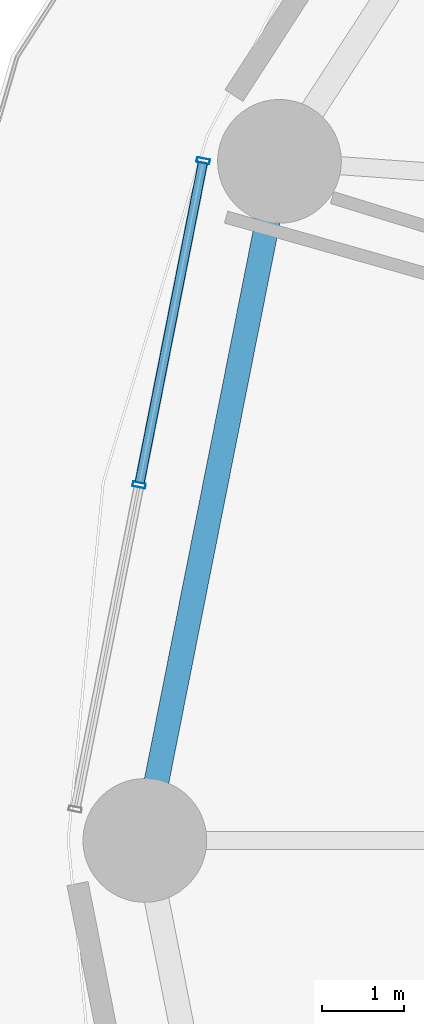
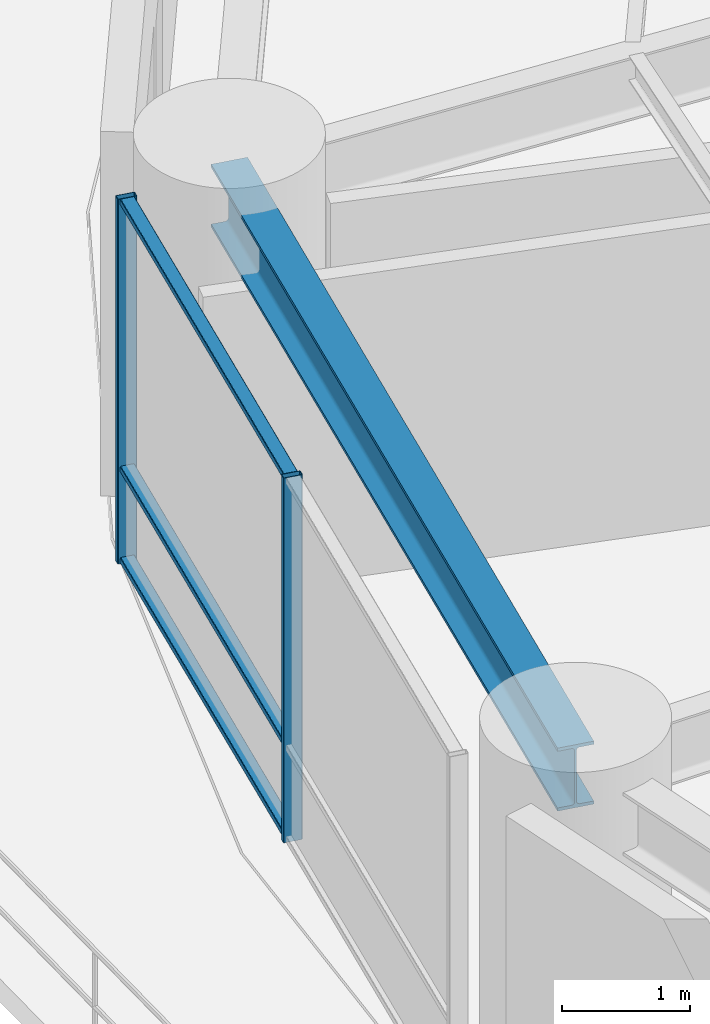
# One storey, part 15 of 33: 5 members, 1 beam, 1 element without a shape of its own.
"""IFC4 building model written with IfcOpenShell, lengths in metres."""

from ifc_helpers import new_model, si_unit, direction, frame, origin, origin_2d, place, context, subcontext, project, spatial, hollow_rectangle, i_section, extrude, material, layer, layer_set, material_profile, profile_set, type_object, element, aggregate, save


model = new_model("IFC4")

# Units and contexts
model_context = context("Model", 3, precision=1e-05, world=origin(), true_north=direction((0.0, 1.0)))
body_context = subcontext(model_context, "Body", "Model", "MODEL_VIEW")
ifc_project = project(units=[si_unit("LENGTHUNIT", "METRE"), si_unit("AREAUNIT", "SQUARE_METRE"), si_unit("VOLUMEUNIT", "CUBIC_METRE"), si_unit("PLANEANGLEUNIT", "RADIAN"), si_unit("MASSUNIT", "GRAM", prefix="KILO")], contexts=[model_context])

# Site, building, storey
site_placement = place(None, origin())
site = spatial("IfcSite", under=ifc_project, at=site_placement, CompositionType="ELEMENT")
building_placement = place(site_placement, origin())
building = spatial("IfcBuilding", under=site, at=building_placement, Name="Kelanora Arch Commons", CompositionType="ELEMENT")
storey_placement = place(building_placement, frame((0.0, 0.0, 45.0)))
storey = spatial("IfcBuildingStorey", under=building, at=storey_placement, Name="L11", CompositionType="ELEMENT", Elevation=45.0)

# Beam
ifc_material_1 = material(Name="Steel S355", Category="steel")
ifc_material_profile_1 = material_profile(ifc_material_1, i_section(OverallWidth=0.300048828125, OverallDepth=0.60009765625, WebThickness=0.015380859375, FlangeThickness=0.030029296875, FilletRadius=0.027099609375, at=origin_2d()), Name="HEB600")
ifc_profile_set_1 = profile_set([ifc_material_profile_1], Name="Steel S355")
beam_type = type_object("IfcBeamType", Name="BM-SPN-Z1", PredefinedType="SPANDREL", material=ifc_profile_set_1)
beam_placement = place(storey_placement, frame((48.552978515625, 66.23583984375, 3.18994140625), z_axis=(-0.194499827256, -0.980902552345, 0.0), x_axis=(0.980902552345, -0.194499827256, 0.0)))
element("IfcBeam", 1, at=beam_placement, inside=storey, type_object=beam_type, Name="Perimeter Spandrel Beam BS-16 L11", PredefinedType="SPANDREL", context=body_context, shape_type="SweptSolid", body=[
    extrude(i_section(OverallWidth=0.300048828125, OverallDepth=0.60009765625, WebThickness=0.015380859375, FlangeThickness=0.030029296875, FilletRadius=0.027099609375, at=origin_2d()), origin(), (0.0, 0.0, 1.0), 8.396240234375),
])

# Curtain wall, members
ifc_material_2 = material(Name="Terracotta ceramic-fritted low-E glass and aluminium", Category="masonry")
ifc_layer = layer(ifc_material_2, 0.159912109375)
ifc_layer_set = layer_set([ifc_layer], Name="Terracotta ceramic-fritted low-E glass and aluminium")
curtain_wall_type = type_object("IfcCurtainWallType", Name="CW-SYS-01", PredefinedType="NOTDEFINED", material=ifc_layer_set)
curtain_wall_placement = place(storey_placement, origin())
curtain_wall = element("IfcCurtainWall", 2, at=curtain_wall_placement, inside=storey, type_object=curtain_wall_type, Name="Unitised Curtain Wall L11-B08", PredefinedType="NOTDEFINED")
ifc_material_3 = material(Name="Powder-coated aluminium terracotta", Category="masonry")
ifc_material_profile_2 = material_profile(ifc_material_3, hollow_rectangle(XDim=0.159912109375, YDim=0.06005859375, WallThickness=0.0048828125, InnerFilletRadius=0.0048828125, OuterFilletRadius=0.010009765625, at=origin_2d()), Name="CWM160x60")
ifc_profile_set_2 = profile_set([ifc_material_profile_2], Name="Powder-coated aluminium terracotta")
member_type_1 = type_object("IfcMemberType", Name="CWM-STD", PredefinedType="MULLION", material=ifc_profile_set_2)
member_1_placement = place(storey_placement, frame((47.628173828125, 66.243896484375, 0.0), z_axis=(0.0, 0.0, 1.0), x_axis=(0.981052110579, -0.193744048498, 0.0)))
member_1 = element("IfcMember", 3, at=member_1_placement, type_object=member_type_1, Name="CW-01 mullion 1", PredefinedType="MULLION", context=body_context, shape_type="SweptSolid", body=[
    extrude(hollow_rectangle(XDim=0.159912109375, YDim=0.06005859375, WallThickness=0.0048828125, InnerFilletRadius=0.0048828125, OuterFilletRadius=0.010009765625, at=origin_2d()), origin(), (0.0, 0.0, 1.0), 3.47509765625),
])
member_2_placement = place(storey_placement, frame((46.8515625, 62.3115234375, 0.0), z_axis=(0.0, 0.0, 1.0), x_axis=(0.981052110579, -0.193744048498, 0.0)))
member_2 = element("IfcMember", 4, at=member_2_placement, type_object=member_type_1, Name="CW-01 mullion 2", PredefinedType="MULLION", context=body_context, shape_type="SweptSolid", body=[
    extrude(hollow_rectangle(XDim=0.159912109375, YDim=0.06005859375, WallThickness=0.0048828125, InnerFilletRadius=0.0048828125, OuterFilletRadius=0.010009765625, at=origin_2d()), origin(), (0.0, 0.0, 1.0), 3.47509765625),
])
ifc_material_profile_3 = material_profile(ifc_material_3, hollow_rectangle(XDim=0.1201171875, YDim=0.06005859375, WallThickness=0.0048828125, InnerFilletRadius=0.0048828125, OuterFilletRadius=0.010009765625, at=origin_2d()), Name="CWT120x60")
ifc_profile_set_3 = profile_set([ifc_material_profile_3], Name="Powder-coated aluminium terracotta")
member_type_2 = type_object("IfcMemberType", Name="CWT-STD", PredefinedType="USERDEFINED", material=ifc_profile_set_3)
member_3_placement = place(storey_placement, frame((47.622314453125, 66.21435546875, 0.030029296875), z_axis=(-0.193725436624, -0.98105578598, 0.0), x_axis=(0.98105578598, -0.193725436624, 0.0)))
member_3 = element("IfcMember", 5, at=member_3_placement, type_object=member_type_2, Name="CW-01 transom 1.1", ObjectType="TRANSOM", PredefinedType="USERDEFINED", context=body_context, shape_type="SweptSolid", body=[
    extrude(hollow_rectangle(XDim=0.1201171875, YDim=0.06005859375, WallThickness=0.0048828125, InnerFilletRadius=0.0048828125, OuterFilletRadius=0.010009765625, at=origin_2d()), origin(), (0.0, 0.0, 1.0), 3.9482421875),
])
member_4_placement = place(storey_placement, frame((47.622314453125, 66.21435546875, 0.89990234375), z_axis=(-0.193725436624, -0.98105578598, 0.0), x_axis=(0.98105578598, -0.193725436624, 0.0)))
member_4 = element("IfcMember", 6, at=member_4_placement, type_object=member_type_2, Name="CW-01 transom 1.2", ObjectType="TRANSOM", PredefinedType="USERDEFINED", context=body_context, shape_type="SweptSolid", body=[
    extrude(hollow_rectangle(XDim=0.1201171875, YDim=0.06005859375, WallThickness=0.0048828125, InnerFilletRadius=0.0048828125, OuterFilletRadius=0.010009765625, at=origin_2d()), origin(), (0.0, 0.0, 1.0), 3.9482421875),
])
member_5_placement = place(storey_placement, frame((47.622314453125, 66.21435546875, 3.445068359375), z_axis=(-0.193725436624, -0.98105578598, 0.0), x_axis=(0.98105578598, -0.193725436624, 0.0)))
member_5 = element("IfcMember", 7, at=member_5_placement, type_object=member_type_2, Name="CW-01 transom 1.3", ObjectType="TRANSOM", PredefinedType="USERDEFINED", context=body_context, shape_type="SweptSolid", body=[
    extrude(hollow_rectangle(XDim=0.1201171875, YDim=0.06005859375, WallThickness=0.0048828125, InnerFilletRadius=0.0048828125, OuterFilletRadius=0.010009765625, at=origin_2d()), origin(), (0.0, 0.0, 1.0), 3.9482421875),
])
aggregate(curtain_wall, [member_1, member_2, member_3, member_4, member_5])

save(model, "model.ifc")
